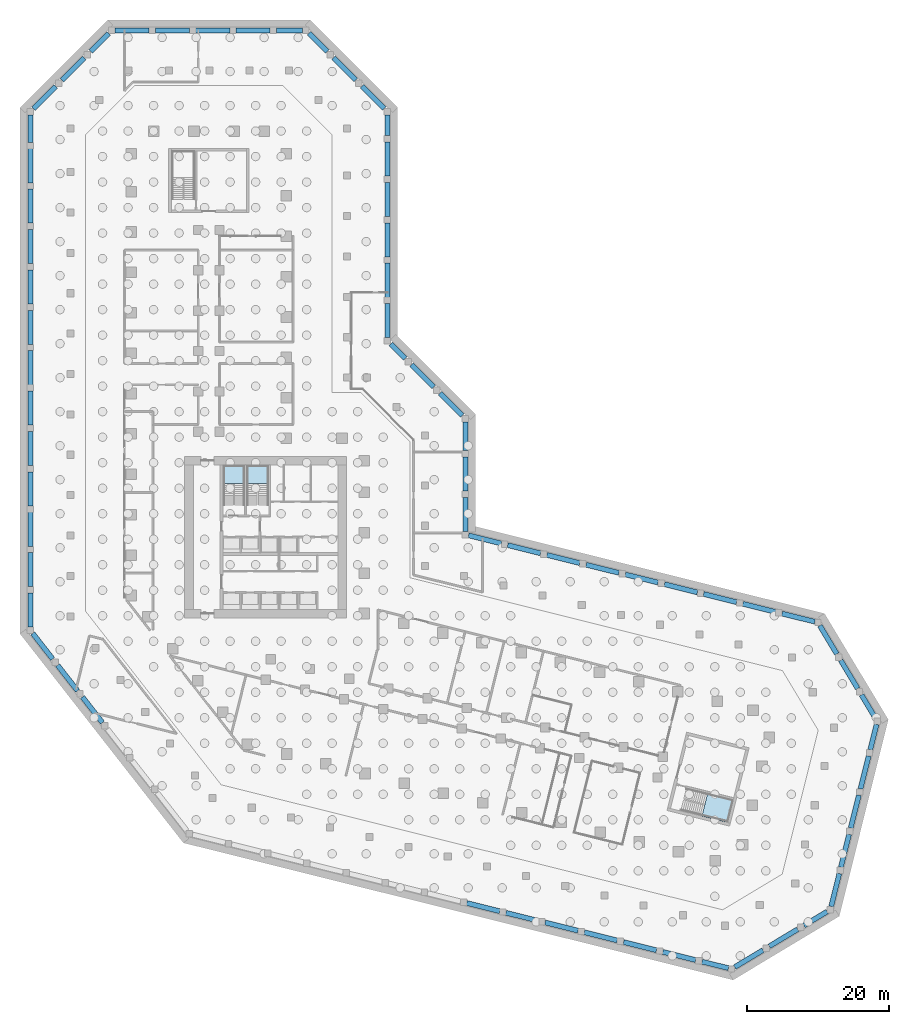
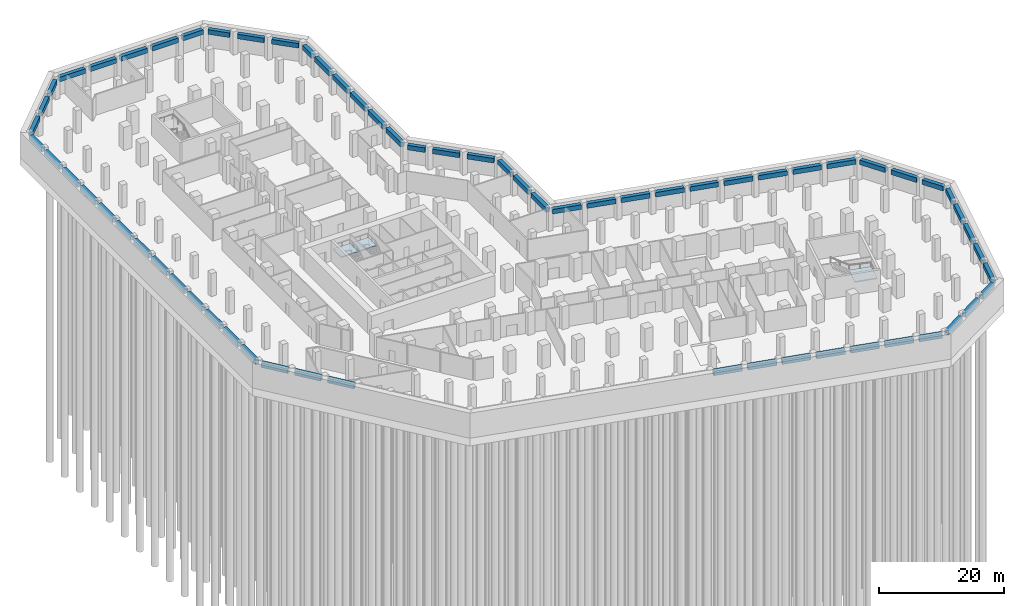
# One storey, part 4 of 15: 66 beams, 3 slabs, 3 elements without a shape of their own.
"""IFC4 building model written with IfcOpenShell, lengths in metres."""

from ifc_helpers import new_model, si_unit, direction, frame, origin, origin_2d, place, context, subcontext, project, spatial, polyline, rectangle, outline, extrude, material, layer, layer_set, material_profile, profile_set, type_object, element, aggregate, save


model = new_model("IFC4")

# Units and contexts
model_context = context("Model", 3, precision=1e-05, world=origin(), true_north=direction((0.0, 1.0)))
body_context = subcontext(model_context, "Body", "Model", "MODEL_VIEW")
ifc_project = project(units=[si_unit("LENGTHUNIT", "METRE"), si_unit("AREAUNIT", "SQUARE_METRE"), si_unit("VOLUMEUNIT", "CUBIC_METRE"), si_unit("PLANEANGLEUNIT", "RADIAN"), si_unit("MASSUNIT", "GRAM", prefix="KILO")], contexts=[model_context])

# Site, building, storey
site_placement = place(None, origin())
site = spatial("IfcSite", under=ifc_project, at=site_placement, CompositionType="ELEMENT")
building_placement = place(site_placement, origin())
building = spatial("IfcBuilding", under=site, at=building_placement, Name="Meshkara Civic Tower", CompositionType="ELEMENT")
storey_placement = place(building_placement, frame((0.0, 0.0, -9.0)))
storey = spatial("IfcBuildingStorey", under=building, at=storey_placement, Name="B2", CompositionType="ELEMENT", Elevation=-9.0)

# Beams
ifc_material_1 = material(Name="Concrete C60", Category="concrete")
ifc_material_profile = material_profile(ifc_material_1, rectangle(XDim=0.699951171875, YDim=0.89990234375, at=origin_2d()))
ifc_profile_set = profile_set([ifc_material_profile], Name="Concrete C60")
beam_type = type_object("IfcBeamType", Name="Spandrel beam RC 700x900 C60", PredefinedType="BEAM", material=ifc_profile_set)
beam_1_placement = place(storey_placement, frame((36.153564453125, 85.96337890625, 3.60009765625), z_axis=(-0.707106781187, 0.707106781187, 0.0), x_axis=(-0.707106781187, -0.707106781187, 0.0)))
element("IfcBeam", 1, at=beam_1_placement, inside=storey, type_object=beam_type, Name="Spandrel beam BM11-E-BM12-01", PredefinedType="BEAM", context=body_context, shape_type="SweptSolid", body=[
    extrude(rectangle(XDim=0.699951171875, YDim=0.89990234375, at=origin_2d()), origin(), (0.0, 0.0, 1.0), 4.43798828125),
])
beam_2_placement = place(storey_placement, frame((32.12255859375, 89.994384765625, 3.60009765625), z_axis=(-0.707079265698, 0.707134295604, 0.0), x_axis=(-0.707134295604, -0.707079265698, 0.0)))
element("IfcBeam", 2, at=beam_2_placement, inside=storey, type_object=beam_type, Name="Spandrel beam BM12-01-BM12-02", PredefinedType="BEAM", context=body_context, shape_type="SweptSolid", body=[
    extrude(rectangle(XDim=0.699951171875, YDim=0.89990234375, at=origin_2d()), origin(), (0.0, 0.0, 1.0), 4.4365234375),
])
beam_3_placement = place(storey_placement, frame((28.092529296875, 94.0244140625, 3.60009765625), z_axis=(-0.707106781187, 0.707106781187, 0.0), x_axis=(-0.707106781187, -0.707106781187, 0.0)))
element("IfcBeam", 3, at=beam_3_placement, inside=storey, type_object=beam_type, Name="Spandrel beam BM00-E-BM12-02", PredefinedType="BEAM", context=body_context, shape_type="SweptSolid", body=[
    extrude(rectangle(XDim=0.699951171875, YDim=0.89990234375, at=origin_2d()), origin(), (0.0, 0.0, 1.0), 3.60498046875),
])
beam_4_placement = place(storey_placement, frame((24.652099609375, 97.02001953125, 3.60009765625), z_axis=(-1.0, 0.0, 0.0), x_axis=(0.0, -1.0, 0.0)))
element("IfcBeam", 4, at=beam_4_placement, inside=storey, type_object=beam_type, Name="Spandrel beam BM00-04-BM00-E", PredefinedType="BEAM", context=body_context, shape_type="SweptSolid", body=[
    extrude(rectangle(XDim=0.699951171875, YDim=0.89990234375, at=origin_2d()), origin(), (0.0, 0.0, 1.0), 3.7041015625),
])
beam_5_placement = place(storey_placement, frame((20.05810546875, 97.02001953125, 3.60009765625), z_axis=(-1.0, 0.0, 0.0), x_axis=(0.0, -1.0, 0.0)))
element("IfcBeam", 5, at=beam_5_placement, inside=storey, type_object=beam_type, Name="Spandrel beam BM00-03-BM00-04", PredefinedType="BEAM", context=body_context, shape_type="SweptSolid", body=[
    extrude(rectangle(XDim=0.699951171875, YDim=0.89990234375, at=origin_2d()), origin(), (0.0, 0.0, 1.0), 4.81005859375),
])
beam_6_placement = place(storey_placement, frame((14.35791015625, 97.02001953125, 3.60009765625), z_axis=(-1.0, 0.0, 0.0), x_axis=(0.0, -1.0, 0.0)))
element("IfcBeam", 6, at=beam_6_placement, inside=storey, type_object=beam_type, Name="Spandrel beam BM00-02-BM00-03", PredefinedType="BEAM", context=body_context, shape_type="SweptSolid", body=[
    extrude(rectangle(XDim=0.699951171875, YDim=0.89990234375, at=origin_2d()), origin(), (0.0, 0.0, 1.0), 4.809814453125),
])
for number, where, z_axis, x_axis, name in (
    (7, (8.657958984375, 97.02001953125, 3.60009765625), (-1.0, 0.0, 0.0), (0.0, -1.0, 0.0), "Spandrel beam BM00-01-BM00-02"),
    (8, (2.9580078125, 97.02001953125, 3.60009765625), (-1.0, 0.0, 0.0), (0.0, -1.0, 0.0), "Spandrel beam BM00-00-BM00-01"),
):
    element("IfcBeam", number, at=place(storey_placement, frame(where, z_axis=z_axis, x_axis=x_axis)), inside=storey, type_object=beam_type, Name=name, PredefinedType="BEAM", context=body_context, shape_type="SweptSolid", body=[
        extrude(rectangle(XDim=0.699951171875, YDim=0.89990234375, at=origin_2d()), origin(), (0.0, 0.0, 1.0), 4.81005859375),
    ])
beam_7_placement = place(storey_placement, frame((-2.743408203125, 96.573486328125, 3.60009765625), z_axis=(-0.707106781187, -0.707106781187, 0.0), x_axis=(0.707106781187, -0.707106781187, 0.0)))
element("IfcBeam", 9, at=beam_7_placement, inside=storey, type_object=beam_type, Name="Spandrel beam BM00-00-BM01-02", PredefinedType="BEAM", context=body_context, shape_type="SweptSolid", body=[
    extrude(rectangle(XDim=0.699951171875, YDim=0.89990234375, at=origin_2d()), origin(), (0.0, 0.0, 1.0), 3.60498046875),
])
beam_8_placement = place(storey_placement, frame((-6.185546875, 93.131591796875, 3.60009765625), z_axis=(-0.707079265698, -0.707134295604, 0.0), x_axis=(0.707134295604, -0.707079265698, 0.0)))
element("IfcBeam", 10, at=beam_8_placement, inside=storey, type_object=beam_type, Name="Spandrel beam BM01-01-BM01-02", PredefinedType="BEAM", context=body_context, shape_type="SweptSolid", body=[
    extrude(rectangle(XDim=0.699951171875, YDim=0.89990234375, at=origin_2d()), origin(), (0.0, 0.0, 1.0), 4.4365234375),
])
beam_9_placement = place(storey_placement, frame((-10.215576171875, 89.1015625, 3.60009765625), z_axis=(-0.707079274261, -0.707134287042, 0.0), x_axis=(0.707134287042, -0.707079274261, 0.0)))
element("IfcBeam", 11, at=beam_9_placement, inside=storey, type_object=beam_type, Name="Spandrel beam BM01-00-BM01-01", PredefinedType="BEAM", context=body_context, shape_type="SweptSolid", body=[
    extrude(rectangle(XDim=0.699951171875, YDim=0.89990234375, at=origin_2d()), origin(), (0.0, 0.0, 1.0), 4.43798828125),
])
beam_10_placement = place(storey_placement, frame((-13.800048828125, 85.072021484375, 3.60009765625), z_axis=(0.0, -1.0, 0.0), x_axis=(1.0, 0.0, 0.0)))
element("IfcBeam", 12, at=beam_10_placement, inside=storey, type_object=beam_type, Name="Spandrel beam BM01-00-BM02-12", PredefinedType="BEAM", context=body_context, shape_type="SweptSolid", body=[
    extrude(rectangle(XDim=0.699951171875, YDim=0.89990234375, at=origin_2d()), origin(), (0.0, 0.0, 1.0), 3.87890625),
])
for number, where, z_axis, x_axis, name in (
    (13, (-13.800048828125, 80.302978515625, 3.60009765625), (0.0, -1.0, 0.0), (1.0, 0.0, 0.0), "Spandrel beam BM02-11-BM02-12"),
    (14, (-13.800048828125, 74.60302734375, 3.60009765625), (0.0, -1.0, 0.0), (1.0, 0.0, 0.0), "Spandrel beam BM02-10-BM02-11"),
    (15, (-13.800048828125, 68.903076171875, 3.60009765625), (0.0, -1.0, 0.0), (1.0, 0.0, 0.0), "Spandrel beam BM02-09-BM02-10"),
):
    element("IfcBeam", number, at=place(storey_placement, frame(where, z_axis=z_axis, x_axis=x_axis)), inside=storey, type_object=beam_type, Name=name, PredefinedType="BEAM", context=body_context, shape_type="SweptSolid", body=[
        extrude(rectangle(XDim=0.699951171875, YDim=0.89990234375, at=origin_2d()), origin(), (0.0, 0.0, 1.0), 4.81005859375),
    ])
for number, where, z_axis, x_axis, name in (
    (16, (-13.800048828125, 63.202880859375, 3.60009765625), (0.0, -1.0, 0.0), (1.0, 0.0, 0.0), "Spandrel beam BM02-08-BM02-09"),
    (17, (-13.800048828125, 57.5029296875, 3.60009765625), (0.0, -1.0, 0.0), (1.0, 0.0, 0.0), "Spandrel beam BM02-07-BM02-08"),
):
    element("IfcBeam", number, at=place(storey_placement, frame(where, z_axis=z_axis, x_axis=x_axis)), inside=storey, type_object=beam_type, Name=name, PredefinedType="BEAM", context=body_context, shape_type="SweptSolid", body=[
        extrude(rectangle(XDim=0.699951171875, YDim=0.89990234375, at=origin_2d()), origin(), (0.0, 0.0, 1.0), 4.809814453125),
    ])
for number, where, z_axis, x_axis, name in (
    (18, (-13.800048828125, 51.802978515625, 3.60009765625), (0.0, -1.0, 0.0), (1.0, 0.0, 0.0), "Spandrel beam BM02-06-BM02-07"),
    (19, (-13.800048828125, 46.10302734375, 3.60009765625), (0.0, -1.0, 0.0), (1.0, 0.0, 0.0), "Spandrel beam BM02-05-BM02-06"),
    (20, (-13.800048828125, 40.403076171875, 3.60009765625), (0.0, -1.0, 0.0), (1.0, 0.0, 0.0), "Spandrel beam BM02-04-BM02-05"),
):
    element("IfcBeam", number, at=place(storey_placement, frame(where, z_axis=z_axis, x_axis=x_axis)), inside=storey, type_object=beam_type, Name=name, PredefinedType="BEAM", context=body_context, shape_type="SweptSolid", body=[
        extrude(rectangle(XDim=0.699951171875, YDim=0.89990234375, at=origin_2d()), origin(), (0.0, 0.0, 1.0), 4.81005859375),
    ])
for number, where, z_axis, x_axis, name in (
    (21, (-13.800048828125, 34.702880859375, 3.60009765625), (0.0, -1.0, 0.0), (1.0, 0.0, 0.0), "Spandrel beam BM02-03-BM02-04"),
    (22, (-13.800048828125, 29.0029296875, 3.60009765625), (0.0, -1.0, 0.0), (1.0, 0.0, 0.0), "Spandrel beam BM02-02-BM02-03"),
):
    element("IfcBeam", number, at=place(storey_placement, frame(where, z_axis=z_axis, x_axis=x_axis)), inside=storey, type_object=beam_type, Name=name, PredefinedType="BEAM", context=body_context, shape_type="SweptSolid", body=[
        extrude(rectangle(XDim=0.699951171875, YDim=0.89990234375, at=origin_2d()), origin(), (0.0, 0.0, 1.0), 4.809814453125),
    ])
for number, where, z_axis, x_axis, name in (
    (23, (-13.800048828125, 23.302978515625, 3.60009765625), (0.0, -1.0, 0.0), (1.0, 0.0, 0.0), "Spandrel beam BM02-01-BM02-02"),
    (24, (-13.800048828125, 17.60302734375, 3.60009765625), (0.0, -1.0, 0.0), (1.0, 0.0, 0.0), "Spandrel beam BM02-00-BM02-01"),
):
    element("IfcBeam", number, at=place(storey_placement, frame(where, z_axis=z_axis, x_axis=x_axis)), inside=storey, type_object=beam_type, Name=name, PredefinedType="BEAM", context=body_context, shape_type="SweptSolid", body=[
        extrude(rectangle(XDim=0.699951171875, YDim=0.89990234375, at=origin_2d()), origin(), (0.0, 0.0, 1.0), 4.81005859375),
    ])
beam_11_placement = place(storey_placement, frame((-13.45166015625, 11.90185546875, 3.60009765625), z_axis=(0.615626410665, -0.788038147865, 0.0), x_axis=(0.788038147865, 0.615626410665, 0.0)))
element("IfcBeam", 25, at=beam_11_placement, inside=storey, type_object=beam_type, Name="Spandrel beam BM02-00-BM03-01", PredefinedType="BEAM", context=body_context, shape_type="SweptSolid", body=[
    extrude(rectangle(XDim=0.699951171875, YDim=0.89990234375, at=origin_2d()), origin(), (0.0, 0.0, 1.0), 4.568115234375),
])
beam_12_placement = place(storey_placement, frame((-9.9423828125, 7.409912109375, 3.60009765625), z_axis=(0.615663751803, -0.788008975022, 0.0), x_axis=(0.788008975022, 0.615663751803, 0.0)))
element("IfcBeam", 26, at=beam_12_placement, inside=storey, type_object=beam_type, Name="Spandrel beam BM03-01-BM03-02", PredefinedType="BEAM", context=body_context, shape_type="SweptSolid", body=[
    extrude(rectangle(XDim=0.699951171875, YDim=0.89990234375, at=origin_2d()), origin(), (0.0, 0.0, 1.0), 4.567138671875),
])
beam_13_placement = place(storey_placement, frame((-6.43359375, 2.9189453125, 3.60009765625), z_axis=(0.615725963562, -0.787960365625, 0.0), x_axis=(0.787960365625, 0.615725963562, 0.0)))
element("IfcBeam", 27, at=beam_13_placement, inside=storey, type_object=beam_type, Name="Spandrel beam BM03-02-BM03-03", PredefinedType="BEAM", context=body_context, shape_type="SweptSolid", body=[
    extrude(rectangle(XDim=0.699951171875, YDim=0.89990234375, at=origin_2d()), origin(), (0.0, 0.0, 1.0), 4.568603515625),
])
beam_14_placement = place(storey_placement, frame((47.802978515625, -26.14111328125, 3.60009765625), z_axis=(0.970301429476, -0.241899020164, 0.0), x_axis=(0.241899020164, 0.970301429476, 0.0)))
element("IfcBeam", 28, at=beam_14_placement, inside=storey, type_object=beam_type, Name="Spandrel beam BM04-07-BM04-08", PredefinedType="BEAM", context=body_context, shape_type="SweptSolid", body=[
    extrude(rectangle(XDim=0.699951171875, YDim=0.89990234375, at=origin_2d()), origin(), (0.0, 0.0, 1.0), 4.782958984375),
])
beam_15_placement = place(storey_placement, frame((53.333984375, -27.52001953125, 3.60009765625), z_axis=(0.970289478464, -0.241946952825, 0.0), x_axis=(0.241946952825, 0.970289478464, 0.0)))
element("IfcBeam", 29, at=beam_15_placement, inside=storey, type_object=beam_type, Name="Spandrel beam BM04-08-BM04-09", PredefinedType="BEAM", context=body_context, shape_type="SweptSolid", body=[
    extrude(rectangle(XDim=0.699951171875, YDim=0.89990234375, at=origin_2d()), origin(), (0.0, 0.0, 1.0), 4.781982421875),
])
for number, where, z_axis, x_axis, name in (
    (30, (58.864013671875, -28.89892578125, 3.60009765625), (0.970301429476, -0.241899020164, 0.0), (0.241899020164, 0.970301429476, 0.0), "Spandrel beam BM04-09-BM04-10"),
    (31, (64.39501953125, -30.278076171875, 3.60009765625), (0.970301429476, -0.241899020164, 0.0), (0.241899020164, 0.970301429476, 0.0), "Spandrel beam BM04-10-BM04-11"),
):
    element("IfcBeam", number, at=place(storey_placement, frame(where, z_axis=z_axis, x_axis=x_axis)), inside=storey, type_object=beam_type, Name=name, PredefinedType="BEAM", context=body_context, shape_type="SweptSolid", body=[
        extrude(rectangle(XDim=0.699951171875, YDim=0.89990234375, at=origin_2d()), origin(), (0.0, 0.0, 1.0), 4.782958984375),
    ])
beam_16_placement = place(storey_placement, frame((69.926025390625, -31.656982421875, 3.60009765625), z_axis=(0.970289478464, -0.241946952825, 0.0), x_axis=(0.241946952825, 0.970289478464, 0.0)))
element("IfcBeam", 32, at=beam_16_placement, inside=storey, type_object=beam_type, Name="Spandrel beam BM04-11-BM04-12", PredefinedType="BEAM", context=body_context, shape_type="SweptSolid", body=[
    extrude(rectangle(XDim=0.699951171875, YDim=0.89990234375, at=origin_2d()), origin(), (0.0, 0.0, 1.0), 4.781982421875),
])
beam_17_placement = place(storey_placement, frame((75.4560546875, -33.035888671875, 3.60009765625), z_axis=(0.970289447569, -0.241947076726, 0.0), x_axis=(0.241947076726, 0.970289447569, 0.0)))
element("IfcBeam", 33, at=beam_17_placement, inside=storey, type_object=beam_type, Name="Spandrel beam BM04-12-BM04-13", PredefinedType="BEAM", context=body_context, shape_type="SweptSolid", body=[
    extrude(rectangle(XDim=0.699951171875, YDim=0.89990234375, at=origin_2d()), origin(), (0.0, 0.0, 1.0), 4.782958984375),
])
beam_18_placement = place(storey_placement, frame((80.987060546875, -34.4150390625, 3.60009765625), z_axis=(0.970328718861, -0.241789531108, 0.0), x_axis=(0.241789531108, 0.970328718861, 0.0)))
element("IfcBeam", 34, at=beam_18_placement, inside=storey, type_object=beam_type, Name="Spandrel beam BM04-13-BM04-E", PredefinedType="BEAM", context=body_context, shape_type="SweptSolid", body=[
    extrude(rectangle(XDim=0.699951171875, YDim=0.89990234375, at=origin_2d()), origin(), (0.0, 0.0, 1.0), 3.85009765625),
])
for number, where, z_axis, x_axis, name in (
    (35, (85.61376953125, -35.189208984375, 3.60009765625), (0.85715068207, 0.515065731947, 0.0), (-0.515065731947, 0.85715068207, 0.0), "Spandrel beam BM04-E-BM05-01"),
    (36, (90.499755859375, -32.253173828125, 3.60009765625), (0.85715068207, 0.515065731947, 0.0), (-0.515065731947, 0.85715068207, 0.0), "Spandrel beam BM05-01-BM05-02"),
):
    element("IfcBeam", number, at=place(storey_placement, frame(where, z_axis=z_axis, x_axis=x_axis)), inside=storey, type_object=beam_type, Name=name, PredefinedType="BEAM", context=body_context, shape_type="SweptSolid", body=[
        extrude(rectangle(XDim=0.699951171875, YDim=0.89990234375, at=origin_2d()), origin(), (0.0, 0.0, 1.0), 4.660400390625),
    ])
beam_19_placement = place(storey_placement, frame((95.3857421875, -29.317138671875, 3.60009765625), z_axis=(0.857132495431, 0.515095996175, 0.0), x_axis=(-0.515095996175, 0.857132495431, 0.0)))
element("IfcBeam", 37, at=beam_19_placement, inside=storey, type_object=beam_type, Name="Spandrel beam BM05-02-BM05-E", PredefinedType="BEAM", context=body_context, shape_type="SweptSolid", body=[
    extrude(rectangle(XDim=0.699951171875, YDim=0.89990234375, at=origin_2d()), origin(), (0.0, 0.0, 1.0), 3.827392578125),
])
beam_20_placement = place(storey_placement, frame((99.222900390625, -26.6328125, 3.60009765625), z_axis=(0.241911001604, 0.970298442389, 0.0), x_axis=(-0.970298442389, 0.241911001604, 0.0)))
element("IfcBeam", 38, at=beam_20_placement, inside=storey, type_object=beam_type, Name="Spandrel beam BM05-E-BM06-01", PredefinedType="BEAM", context=body_context, shape_type="SweptSolid", body=[
    extrude(rectangle(XDim=0.699951171875, YDim=0.89990234375, at=origin_2d()), origin(), (0.0, 0.0, 1.0), 4.78271484375),
])
beam_21_placement = place(storey_placement, frame((100.60205078125, -21.101806640625, 3.60009765625), z_axis=(0.241958938867, 0.970286489601, 0.0), x_axis=(-0.970286489601, 0.241958938867, 0.0)))
element("IfcBeam", 39, at=beam_21_placement, inside=storey, type_object=beam_type, Name="Spandrel beam BM06-01-BM06-02", PredefinedType="BEAM", context=body_context, shape_type="SweptSolid", body=[
    extrude(rectangle(XDim=0.699951171875, YDim=0.89990234375, at=origin_2d()), origin(), (0.0, 0.0, 1.0), 4.78173828125),
])
beam_22_placement = place(storey_placement, frame((101.981201171875, -15.572021484375, 3.60009765625), z_axis=(0.242043184508, 0.970265477502, 0.0), x_axis=(-0.970265477502, 0.242043184508, 0.0)))
element("IfcBeam", 40, at=beam_22_placement, inside=storey, type_object=beam_type, Name="Spandrel beam BM06-02-BM06-03", PredefinedType="BEAM", context=body_context, shape_type="SweptSolid", body=[
    extrude(rectangle(XDim=0.699951171875, YDim=0.89990234375, at=origin_2d()), origin(), (0.0, 0.0, 1.0), 4.783203125),
])
beam_23_placement = place(storey_placement, frame((103.361083984375, -10.041015625, 3.60009765625), z_axis=(0.241899020164, 0.970301429476, 0.0), x_axis=(-0.970301429476, 0.241899020164, 0.0)))
element("IfcBeam", 41, at=beam_23_placement, inside=storey, type_object=beam_type, Name="Spandrel beam BM06-03-BM06-04", PredefinedType="BEAM", context=body_context, shape_type="SweptSolid", body=[
    extrude(rectangle(XDim=0.699951171875, YDim=0.89990234375, at=origin_2d()), origin(), (0.0, 0.0, 1.0), 4.782958984375),
])
beam_24_placement = place(storey_placement, frame((104.739990234375, -4.510009765625, 3.60009765625), z_axis=(0.241879064619, 0.970306404235, 0.0), x_axis=(-0.970306404235, 0.241879064619, 0.0)))
element("IfcBeam", 42, at=beam_24_placement, inside=storey, type_object=beam_type, Name="Spandrel beam BM06-04-BM06-E", PredefinedType="BEAM", context=body_context, shape_type="SweptSolid", body=[
    extrude(rectangle(XDim=0.699951171875, YDim=0.89990234375, at=origin_2d()), origin(), (0.0, 0.0, 1.0), 3.675048828125),
])
beam_25_placement = place(storey_placement, frame((105.47216796875, -0.05322265625, 3.60009765625), z_axis=(-0.515123927013, 0.857115709703, 0.0), x_axis=(-0.857115709703, -0.515123927013, 0.0)))
element("IfcBeam", 43, at=beam_25_placement, inside=storey, type_object=beam_type, Name="Spandrel beam BM06-E-BM07-02", PredefinedType="BEAM", context=body_context, shape_type="SweptSolid", body=[
    extrude(rectangle(XDim=0.699951171875, YDim=0.89990234375, at=origin_2d()), origin(), (0.0, 0.0, 1.0), 3.82861328125),
])
beam_26_placement = place(storey_placement, frame((102.964111328125, 4.11962890625, 3.60009765625), z_axis=(-0.51511976576, 0.857118210589, 0.0), x_axis=(-0.857118210589, -0.51511976576, 0.0)))
element("IfcBeam", 44, at=beam_26_placement, inside=storey, type_object=beam_type, Name="Spandrel beam BM07-01-BM07-02", PredefinedType="BEAM", context=body_context, shape_type="SweptSolid", body=[
    extrude(rectangle(XDim=0.699951171875, YDim=0.89990234375, at=origin_2d()), origin(), (0.0, 0.0, 1.0), 4.659423828125),
])
beam_27_placement = place(storey_placement, frame((100.0283203125, 9.004638671875, 3.60009765625), z_axis=(-0.515104219257, 0.857127553695, 0.0), x_axis=(-0.857127553695, -0.515104219257, 0.0)))
element("IfcBeam", 45, at=beam_27_placement, inside=storey, type_object=beam_type, Name="Spandrel beam BM07-00-BM07-01", PredefinedType="BEAM", context=body_context, shape_type="SweptSolid", body=[
    extrude(rectangle(XDim=0.699951171875, YDim=0.89990234375, at=origin_2d()), origin(), (0.0, 0.0, 1.0), 4.660400390625),
])
beam_28_placement = place(storey_placement, frame((96.914794921875, 13.555908203125, 3.60009765625), z_axis=(-0.97029597105, 0.241920913861, 0.0), x_axis=(-0.241920913861, -0.97029597105, 0.0)))
element("IfcBeam", 46, at=beam_28_placement, inside=storey, type_object=beam_type, Name="Spandrel beam BM07-00-BM08-08", PredefinedType="BEAM", context=body_context, shape_type="SweptSolid", body=[
    extrude(rectangle(XDim=0.699951171875, YDim=0.89990234375, at=origin_2d()), origin(), (0.0, 0.0, 1.0), 4.766357421875),
])
beam_29_placement = place(storey_placement, frame((91.39990234375, 14.930908203125, 3.60009765625), z_axis=(-0.970289478464, 0.241946952825, 0.0), x_axis=(-0.241946952825, -0.970289478464, 0.0)))
element("IfcBeam", 47, at=beam_29_placement, inside=storey, type_object=beam_type, Name="Spandrel beam BM08-07-BM08-08", PredefinedType="BEAM", context=body_context, shape_type="SweptSolid", body=[
    extrude(rectangle(XDim=0.699951171875, YDim=0.89990234375, at=origin_2d()), origin(), (0.0, 0.0, 1.0), 4.781982421875),
])
for number, where, z_axis, x_axis, name in (
    (48, (85.869873046875, 16.31005859375, 3.60009765625), (-0.970301429476, 0.241899020164, 0.0), (-0.241899020164, -0.970301429476, 0.0), "Spandrel beam BM08-06-BM08-07"),
    (49, (80.3388671875, 17.68896484375, 3.60009765625), (-0.970301429476, 0.241899020164, 0.0), (-0.241899020164, -0.970301429476, 0.0), "Spandrel beam BM08-05-BM08-06"),
):
    element("IfcBeam", number, at=place(storey_placement, frame(where, z_axis=z_axis, x_axis=x_axis)), inside=storey, type_object=beam_type, Name=name, PredefinedType="BEAM", context=body_context, shape_type="SweptSolid", body=[
        extrude(rectangle(XDim=0.699951171875, YDim=0.89990234375, at=origin_2d()), origin(), (0.0, 0.0, 1.0), 4.782958984375),
    ])
beam_30_placement = place(storey_placement, frame((74.807861328125, 19.068115234375, 3.60009765625), z_axis=(-0.970286489601, 0.241958938867, 0.0), x_axis=(-0.241958938867, -0.970286489601, 0.0)))
element("IfcBeam", 50, at=beam_30_placement, inside=storey, type_object=beam_type, Name="Spandrel beam BM08-04-BM08-05", PredefinedType="BEAM", context=body_context, shape_type="SweptSolid", body=[
    extrude(rectangle(XDim=0.699951171875, YDim=0.89990234375, at=origin_2d()), origin(), (0.0, 0.0, 1.0), 4.78173828125),
])
for number, where, z_axis, x_axis, name in (
    (51, (69.27783203125, 20.447021484375, 3.60009765625), (-0.970298442389, 0.241911001604, 0.0), (-0.241911001604, -0.970298442389, 0.0), "Spandrel beam BM08-03-BM08-04"),
    (52, (63.746826171875, 21.825927734375, 3.60009765625), (-0.970298442389, 0.241911001604, 0.0), (-0.241911001604, -0.970298442389, 0.0), "Spandrel beam BM08-02-BM08-03"),
):
    element("IfcBeam", number, at=place(storey_placement, frame(where, z_axis=z_axis, x_axis=x_axis)), inside=storey, type_object=beam_type, Name=name, PredefinedType="BEAM", context=body_context, shape_type="SweptSolid", body=[
        extrude(rectangle(XDim=0.699951171875, YDim=0.89990234375, at=origin_2d()), origin(), (0.0, 0.0, 1.0), 4.78271484375),
    ])
beam_31_placement = place(storey_placement, frame((58.2158203125, 23.205078125, 3.60009765625), z_axis=(-0.970286489601, 0.241958938867, 0.0), x_axis=(-0.241958938867, -0.970286489601, 0.0)))
element("IfcBeam", 53, at=beam_31_placement, inside=storey, type_object=beam_type, Name="Spandrel beam BM08-01-BM08-02", PredefinedType="BEAM", context=body_context, shape_type="SweptSolid", body=[
    extrude(rectangle(XDim=0.699951171875, YDim=0.89990234375, at=origin_2d()), origin(), (0.0, 0.0, 1.0), 4.78173828125),
])
beam_32_placement = place(storey_placement, frame((52.685791015625, 24.583984375, 3.60009765625), z_axis=(-0.970298442389, 0.241911001604, 0.0), x_axis=(-0.241911001604, -0.970298442389, 0.0)))
element("IfcBeam", 54, at=beam_32_placement, inside=storey, type_object=beam_type, Name="Spandrel beam BM08-00-BM08-01", PredefinedType="BEAM", context=body_context, shape_type="SweptSolid", body=[
    extrude(rectangle(XDim=0.699951171875, YDim=0.89990234375, at=origin_2d()), origin(), (0.0, 0.0, 1.0), 4.78271484375),
])
for number, where, z_axis, x_axis, name in (
    (55, (47.60009765625, 26.297119140625, 3.60009765625), (0.0, 1.0, 0.0), (-1.0, 0.0, 0.0), "Spandrel beam BM08-00-BM09-01"),
    (56, (47.60009765625, 31.9970703125, 3.60009765625), (0.0, 1.0, 0.0), (-1.0, 0.0, 0.0), "Spandrel beam BM09-01-BM09-02"),
):
    element("IfcBeam", number, at=place(storey_placement, frame(where, z_axis=z_axis, x_axis=x_axis)), inside=storey, type_object=beam_type, Name=name, PredefinedType="BEAM", context=body_context, shape_type="SweptSolid", body=[
        extrude(rectangle(XDim=0.699951171875, YDim=0.89990234375, at=origin_2d()), origin(), (0.0, 0.0, 1.0), 4.809814453125),
    ])
beam_33_placement = place(storey_placement, frame((47.60009765625, 37.697021484375, 3.60009765625), z_axis=(0.0, 1.0, 0.0), x_axis=(-1.0, 0.0, 0.0)))
element("IfcBeam", 57, at=beam_33_placement, inside=storey, type_object=beam_type, Name="Spandrel beam BM09-02-BM09-E", PredefinedType="BEAM", context=body_context, shape_type="SweptSolid", body=[
    extrude(rectangle(XDim=0.699951171875, YDim=0.89990234375, at=origin_2d()), origin(), (0.0, 0.0, 1.0), 4.054931640625),
])
beam_34_placement = place(storey_placement, frame((47.153564453125, 42.6435546875, 3.60009765625), z_axis=(-0.707134287042, 0.707079274261, 0.0), x_axis=(-0.707079274261, -0.707134287042, 0.0)))
element("IfcBeam", 58, at=beam_34_placement, inside=storey, type_object=beam_type, Name="Spandrel beam BM09-E-BM10-01", PredefinedType="BEAM", context=body_context, shape_type="SweptSolid", body=[
    extrude(rectangle(XDim=0.699951171875, YDim=0.89990234375, at=origin_2d()), origin(), (0.0, 0.0, 1.0), 4.43798828125),
])
beam_35_placement = place(storey_placement, frame((43.12255859375, 46.674560546875, 3.60009765625), z_axis=(-0.707106781187, 0.707106781187, 0.0), x_axis=(-0.707106781187, -0.707106781187, 0.0)))
element("IfcBeam", 59, at=beam_35_placement, inside=storey, type_object=beam_type, Name="Spandrel beam BM10-01-BM10-02", PredefinedType="BEAM", context=body_context, shape_type="SweptSolid", body=[
    extrude(rectangle(XDim=0.699951171875, YDim=0.89990234375, at=origin_2d()), origin(), (0.0, 0.0, 1.0), 4.436279296875),
])
beam_36_placement = place(storey_placement, frame((39.092529296875, 50.70458984375, 3.60009765625), z_axis=(-0.707148967553, 0.707064592303, 0.0), x_axis=(-0.707064592303, -0.707148967553, 0.0)))
element("IfcBeam", 60, at=beam_36_placement, inside=storey, type_object=beam_type, Name="Spandrel beam BM10-02-BM10-E", PredefinedType="BEAM", context=body_context, shape_type="SweptSolid", body=[
    extrude(rectangle(XDim=0.699951171875, YDim=0.89990234375, at=origin_2d()), origin(), (0.0, 0.0, 1.0), 2.8935546875),
])
beam_37_placement = place(storey_placement, frame((36.60009765625, 53.64208984375, 3.60009765625), z_axis=(0.0, 1.0, 0.0), x_axis=(-1.0, 0.0, 0.0)))
element("IfcBeam", 61, at=beam_37_placement, inside=storey, type_object=beam_type, Name="Spandrel beam BM10-E-BM11-01", PredefinedType="BEAM", context=body_context, shape_type="SweptSolid", body=[
    extrude(rectangle(XDim=0.699951171875, YDim=0.89990234375, at=origin_2d()), origin(), (0.0, 0.0, 1.0), 4.809814453125),
])
for number, where, z_axis, x_axis, name in (
    (62, (36.60009765625, 59.342041015625, 3.60009765625), (0.0, 1.0, 0.0), (-1.0, 0.0, 0.0), "Spandrel beam BM11-01-BM11-02"),
    (63, (36.60009765625, 65.0419921875, 3.60009765625), (0.0, 1.0, 0.0), (-1.0, 0.0, 0.0), "Spandrel beam BM11-02-BM11-03"),
    (64, (36.60009765625, 70.741943359375, 3.60009765625), (0.0, 1.0, 0.0), (-1.0, 0.0, 0.0), "Spandrel beam BM11-03-BM11-04"),
    (65, (36.60009765625, 76.44189453125, 3.60009765625), (0.0, 1.0, 0.0), (-1.0, 0.0, 0.0), "Spandrel beam BM11-04-BM11-05"),
):
    element("IfcBeam", number, at=place(storey_placement, frame(where, z_axis=z_axis, x_axis=x_axis)), inside=storey, type_object=beam_type, Name=name, PredefinedType="BEAM", context=body_context, shape_type="SweptSolid", body=[
        extrude(rectangle(XDim=0.699951171875, YDim=0.89990234375, at=origin_2d()), origin(), (0.0, 0.0, 1.0), 4.81005859375),
    ])
beam_38_placement = place(storey_placement, frame((36.60009765625, 82.14208984375, 3.60009765625), z_axis=(0.0, 1.0, 0.0), x_axis=(-1.0, 0.0, 0.0)))
element("IfcBeam", 66, at=beam_38_placement, inside=storey, type_object=beam_type, Name="Spandrel beam BM11-05-BM11-E", PredefinedType="BEAM", context=body_context, shape_type="SweptSolid", body=[
    extrude(rectangle(XDim=0.699951171875, YDim=0.89990234375, at=origin_2d()), origin(), (0.0, 0.0, 1.0), 2.929931640625),
])

# Stair, slab
ifc_material_2 = material(Name="Precast concrete C40/50", Category="concrete")
stair_type_1 = type_object("IfcStairType", Name="Exit stair half-turn 24 risers precast", PredefinedType="HALF_TURN_STAIR", material=ifc_material_2)
stair_1_placement = place(storey_placement, origin())
stair_1 = element("IfcStair", 67, at=stair_1_placement, inside=storey, type_object=stair_type_1, Name="B2 exit stair 1", PredefinedType="HALF_TURN_STAIR")
ifc_material_3 = material(Name="Precast concrete C40/50", Category="concrete")
ifc_layer = layer(ifc_material_3, 0.199951171875)
ifc_layer_set = layer_set([ifc_layer], Name="Exit stair landing 200")
slab_type = type_object("IfcSlabType", Name="Exit stair landing 200", PredefinedType="LANDING", material=ifc_layer_set)
slab_1_placement = place(storey_placement, frame((0.0, 0.0, 2.050048828125)))
slab_1 = element("IfcSlab", 68, at=slab_1_placement, type_object=slab_type, Name="ST1 landing 1", PredefinedType="LANDING", context=body_context, shape_type="SweptSolid", body=[
    extrude(outline(polyline([(16.5, 33.07861328125), (16.5, 35.699951171875), (13.39990234375, 35.699951171875), (13.39990234375, 33.07861328125), (16.5, 33.07861328125)])), origin(), (0.0, 0.0, 1.0), 0.199951171875),
])
aggregate(stair_1, [slab_1])

stair_2_placement = place(storey_placement, origin())
stair_2 = element("IfcStair", 69, at=stair_2_placement, inside=storey, type_object=stair_type_1, Name="B2 exit stair 2", PredefinedType="HALF_TURN_STAIR")
slab_2_placement = place(storey_placement, frame((0.0, 0.0, 2.050048828125)))
slab_2 = element("IfcSlab", 70, at=slab_2_placement, type_object=slab_type, Name="ST2 landing 1", PredefinedType="LANDING", context=body_context, shape_type="SweptSolid", body=[
    extrude(outline(polyline([(19.89990234375, 33.07861328125), (19.89990234375, 35.699951171875), (16.699951171875, 35.699951171875), (16.699951171875, 33.07861328125), (19.89990234375, 33.07861328125)])), origin(), (0.0, 0.0, 1.0), 0.199951171875),
])
aggregate(stair_2, [slab_2])

ifc_material_4 = material(Name="Precast concrete C40/50", Category="concrete")
stair_type_2 = type_object("IfcStairType", Name="Exit stair half-turn 24 risers 1500 precast", PredefinedType="HALF_TURN_STAIR", material=ifc_material_4)
stair_3_placement = place(storey_placement, origin())
stair_3 = element("IfcStair", 71, at=stair_3_placement, inside=storey, type_object=stair_type_2, Name="B2 exit stair B from B2", PredefinedType="HALF_TURN_STAIR")
slab_3_placement = place(storey_placement, frame((0.0, 0.0, 2.050048828125)))
slab_3 = element("IfcSlab", 72, at=slab_3_placement, type_object=slab_type, Name="ESB1 landing 1", PredefinedType="LANDING", context=body_context, shape_type="SweptSolid", body=[
    extrude(outline(polyline([(80.98974609375, -13.9072265625), (84.600830078125, -14.80810546875), (85.424072265625, -11.50830078125), (81.81298828125, -10.607421875), (80.98974609375, -13.9072265625)])), origin(), (0.0, 0.0, 1.0), 0.199951171875),
])
aggregate(stair_3, [slab_3])

save(model, "model.ifc")
